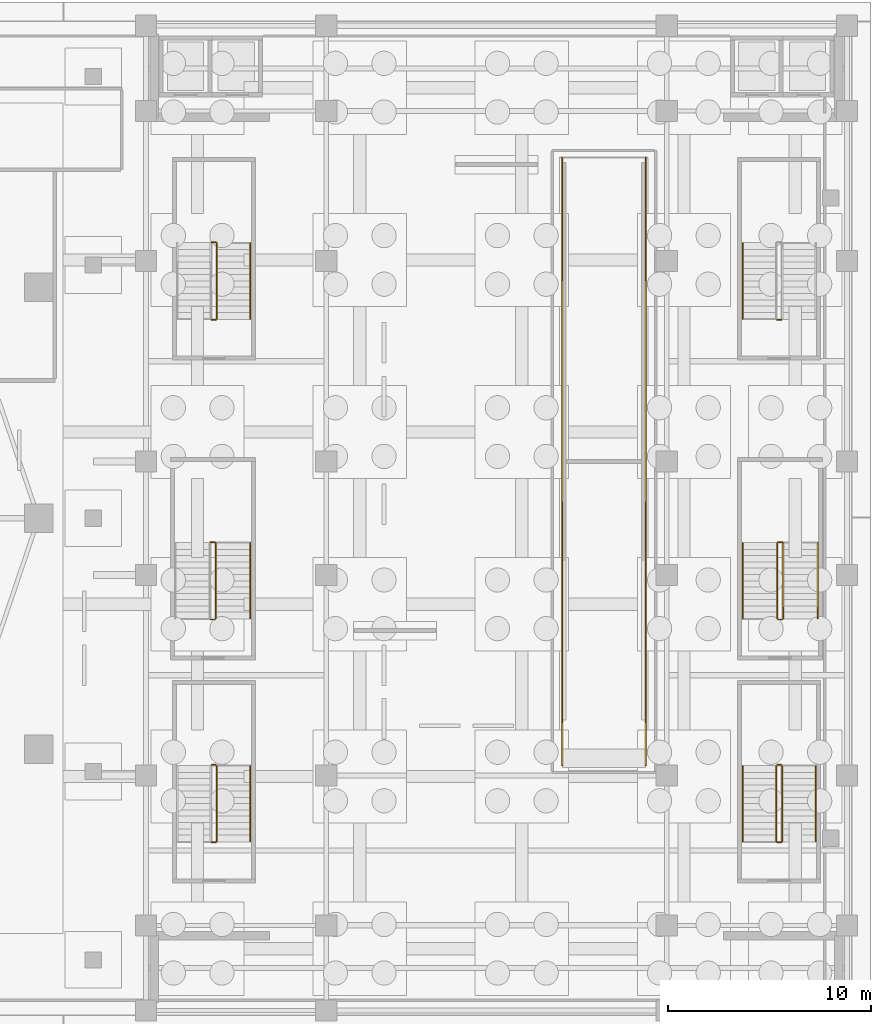
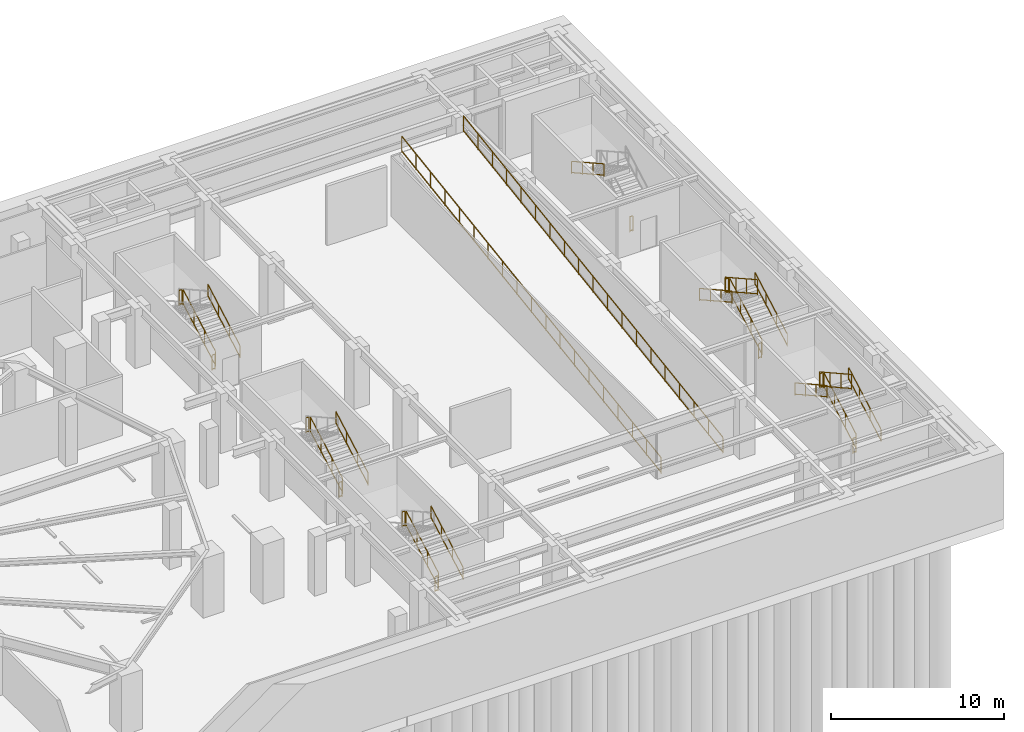
# One storey, part 17 of 19: 28 railings.
"""IFC4 building model written with IfcOpenShell, lengths in metres."""

from ifc_helpers import new_model, si_unit, direction, frame, origin, origin_2d, place, context, subcontext, project, spatial, rectangle, extrude, material, type_object, element, save


model = new_model("IFC4")

# Units and contexts
model_context = context("Model", 3, precision=1e-05, world=origin(), true_north=direction((0.0, 1.0)))
body_context = subcontext(model_context, "Body", "Model", "MODEL_VIEW")
ifc_project = project(units=[si_unit("LENGTHUNIT", "METRE"), si_unit("AREAUNIT", "SQUARE_METRE"), si_unit("VOLUMEUNIT", "CUBIC_METRE"), si_unit("PLANEANGLEUNIT", "RADIAN"), si_unit("MASSUNIT", "GRAM", prefix="KILO")], contexts=[model_context])

# Site, building, storey
site_placement = place(None, origin())
site = spatial("IfcSite", under=ifc_project, at=site_placement, CompositionType="ELEMENT")
building_placement = place(site_placement, origin())
building = spatial("IfcBuilding", under=site, at=building_placement, Name="Kolvaren Gate Tower and Convention Centre", CompositionType="ELEMENT")
storey_placement = place(building_placement, frame((0.0, 0.0, -13.5)))
storey = spatial("IfcBuildingStorey", under=building, at=storey_placement, Name="B3", CompositionType="ELEMENT", Elevation=-13.5)

# Railings
ifc_material = material(Name="Brushed Stainless Steel Grade 316L", Category="steel")
railing_type_1 = type_object("IfcRailingType", Name="ARCH-RL-GUARD-1150", PredefinedType="GUARDRAIL", material=ifc_material)
railing_1_placement = place(storey_placement, frame((66.199951171875, 36.85009765625, 0.173095703125)))
element("IfcRailing", 1, at=railing_1_placement, inside=storey, type_object=railing_type_1, Name="B3 ST-C1 stair guard 1", PredefinedType="GUARDRAIL", context=body_context, shape_type="SweptSolid", body=[
    extrude(rectangle(XDim=0.048095703125, YDim=0.048095703125, at=origin_2d()), frame((0.0, 0.0, 1.076171875), z_axis=(0.0, 0.873133609054, 0.487480974747), x_axis=(-1.0, 0.0, 0.0)), (0.0, 0.0, 1.0), 4.260498046875),
    extrude(rectangle(XDim=0.048095703125, YDim=0.048095703125, at=origin_2d()), frame((0.0, 0.0, 0.083984375), z_axis=(0.0, 0.873133609054, 0.487480974747), x_axis=(-1.0, 0.0, 0.0)), (0.0, 0.0, 1.0), 4.260498046875),
    extrude(rectangle(XDim=0.0419921875, YDim=0.0419921875, at=origin_2d()), origin(), (0.0, 0.0, 1.0), 1.050048828125),
    extrude(rectangle(XDim=0.0419921875, YDim=0.0419921875, at=origin_2d()), frame((0.0, 3.719970703125, 2.076904296875)), (0.0, 0.0, 1.0), 1.050048828125),
    extrude(rectangle(XDim=0.0419921875, YDim=0.0419921875, at=origin_2d()), frame((0.0, 1.239990234375, 0.6923828125)), (0.0, 0.0, 1.0), 1.050048828125),
    extrude(rectangle(XDim=0.0419921875, YDim=0.0419921875, at=origin_2d()), frame((0.0, 2.47998046875, 1.384521484375)), (0.0, 0.0, 1.0), 1.050048828125),
])
for number, where, name in (
    (2, (66.14990234375, 40.6201171875, 2.25), "B3 ST-C1 stair guard 2"),
    (3, (66.14990234375, 36.800048828125, 0.0), "B3 ST-C1 stair guard 4"),
):
    element("IfcRailing", number, at=place(storey_placement, frame(where)), inside=storey, type_object=railing_type_1, Name=name, PredefinedType="GUARDRAIL", context=body_context, shape_type="SweptSolid", body=[
        extrude(rectangle(XDim=0.048095703125, YDim=0.048095703125, at=origin_2d()), frame((0.0, 0.0, 1.076171875), z_axis=(-1.0, 0.0, 0.0), x_axis=(0.0, -1.0, 0.0)), (0.0, 0.0, 1.0), 0.199951171875),
        extrude(rectangle(XDim=0.048095703125, YDim=0.048095703125, at=origin_2d()), frame((0.0, 0.0, 0.083984375), z_axis=(-1.0, 0.0, 0.0), x_axis=(0.0, -1.0, 0.0)), (0.0, 0.0, 1.0), 0.199951171875),
        extrude(rectangle(XDim=0.0419921875, YDim=0.0419921875, at=origin_2d()), origin(), (0.0, 0.0, 1.0), 1.050048828125),
        extrude(rectangle(XDim=0.0419921875, YDim=0.0419921875, at=origin_2d()), frame((-0.199951171875, 0.0, 0.0)), (0.0, 0.0, 1.0), 1.050048828125),
    ])
railing_2_placement = place(storey_placement, frame((66.199951171875, 11.050048828125, 0.173095703125)))
element("IfcRailing", 4, at=railing_2_placement, inside=storey, type_object=railing_type_1, Name="B3 ST-C2 stair guard 1", PredefinedType="GUARDRAIL", context=body_context, shape_type="SweptSolid", body=[
    extrude(rectangle(XDim=0.048095703125, YDim=0.048095703125, at=origin_2d()), frame((0.0, 0.0, 1.076171875), z_axis=(0.0, 0.873133609054, 0.487480974747), x_axis=(-1.0, 0.0, 0.0)), (0.0, 0.0, 1.0), 4.260498046875),
    extrude(rectangle(XDim=0.048095703125, YDim=0.048095703125, at=origin_2d()), frame((0.0, 0.0, 0.083984375), z_axis=(0.0, 0.873133609054, 0.487480974747), x_axis=(-1.0, 0.0, 0.0)), (0.0, 0.0, 1.0), 4.260498046875),
    extrude(rectangle(XDim=0.0419921875, YDim=0.0419921875, at=origin_2d()), origin(), (0.0, 0.0, 1.0), 1.050048828125),
    extrude(rectangle(XDim=0.0419921875, YDim=0.0419921875, at=origin_2d()), frame((0.0, 3.719970703125, 2.076904296875)), (0.0, 0.0, 1.0), 1.050048828125),
    extrude(rectangle(XDim=0.0419921875, YDim=0.0419921875, at=origin_2d()), frame((0.0, 1.239990234375, 0.6923828125)), (0.0, 0.0, 1.0), 1.050048828125),
    extrude(rectangle(XDim=0.0419921875, YDim=0.0419921875, at=origin_2d()), frame((0.0, 2.47998046875, 1.384521484375)), (0.0, 0.0, 1.0), 1.050048828125),
])
for number, where, name in (
    (5, (66.14990234375, 14.820068359375, 2.25), "B3 ST-C2 stair guard 2"),
    (6, (66.14990234375, 11.0, 0.0), "B3 ST-C2 stair guard 4"),
    (7, (94.050048828125, 36.800048828125, 0.0), "B3 ST-C3 stair guard 4"),
):
    element("IfcRailing", number, at=place(storey_placement, frame(where)), inside=storey, type_object=railing_type_1, Name=name, PredefinedType="GUARDRAIL", context=body_context, shape_type="SweptSolid", body=[
        extrude(rectangle(XDim=0.048095703125, YDim=0.048095703125, at=origin_2d()), frame((0.0, 0.0, 1.076171875), z_axis=(-1.0, 0.0, 0.0), x_axis=(0.0, -1.0, 0.0)), (0.0, 0.0, 1.0), 0.199951171875),
        extrude(rectangle(XDim=0.048095703125, YDim=0.048095703125, at=origin_2d()), frame((0.0, 0.0, 0.083984375), z_axis=(-1.0, 0.0, 0.0), x_axis=(0.0, -1.0, 0.0)), (0.0, 0.0, 1.0), 0.199951171875),
        extrude(rectangle(XDim=0.0419921875, YDim=0.0419921875, at=origin_2d()), origin(), (0.0, 0.0, 1.0), 1.050048828125),
        extrude(rectangle(XDim=0.0419921875, YDim=0.0419921875, at=origin_2d()), frame((-0.199951171875, 0.0, 0.0)), (0.0, 0.0, 1.0), 1.050048828125),
    ])
railing_3_placement = place(storey_placement, frame((94.10009765625, 11.050048828125, 0.173095703125)))
element("IfcRailing", 8, at=railing_3_placement, inside=storey, type_object=railing_type_1, Name="B3 ST-C4 stair guard 1", PredefinedType="GUARDRAIL", context=body_context, shape_type="SweptSolid", body=[
    extrude(rectangle(XDim=0.048095703125, YDim=0.048095703125, at=origin_2d()), frame((0.0, 0.0, 1.076171875), z_axis=(0.0, 0.873133609054, 0.487480974747), x_axis=(-1.0, 0.0, 0.0)), (0.0, 0.0, 1.0), 4.260498046875),
    extrude(rectangle(XDim=0.048095703125, YDim=0.048095703125, at=origin_2d()), frame((0.0, 0.0, 0.083984375), z_axis=(0.0, 0.873133609054, 0.487480974747), x_axis=(-1.0, 0.0, 0.0)), (0.0, 0.0, 1.0), 4.260498046875),
    extrude(rectangle(XDim=0.0419921875, YDim=0.0419921875, at=origin_2d()), origin(), (0.0, 0.0, 1.0), 1.050048828125),
    extrude(rectangle(XDim=0.0419921875, YDim=0.0419921875, at=origin_2d()), frame((0.0, 3.719970703125, 2.076904296875)), (0.0, 0.0, 1.0), 1.050048828125),
    extrude(rectangle(XDim=0.0419921875, YDim=0.0419921875, at=origin_2d()), frame((0.0, 1.239990234375, 0.6923828125)), (0.0, 0.0, 1.0), 1.050048828125),
    extrude(rectangle(XDim=0.0419921875, YDim=0.0419921875, at=origin_2d()), frame((0.0, 2.47998046875, 1.384521484375)), (0.0, 0.0, 1.0), 1.050048828125),
])
railing_4_placement = place(storey_placement, frame((94.050048828125, 14.820068359375, 2.25)))
element("IfcRailing", 9, at=railing_4_placement, inside=storey, type_object=railing_type_1, Name="B3 ST-C4 stair guard 2", PredefinedType="GUARDRAIL", context=body_context, shape_type="SweptSolid", body=[
    extrude(rectangle(XDim=0.048095703125, YDim=0.048095703125, at=origin_2d()), frame((0.0, 0.0, 1.076171875), z_axis=(-1.0, 0.0, 0.0), x_axis=(0.0, -1.0, 0.0)), (0.0, 0.0, 1.0), 0.199951171875),
    extrude(rectangle(XDim=0.048095703125, YDim=0.048095703125, at=origin_2d()), frame((0.0, 0.0, 0.083984375), z_axis=(-1.0, 0.0, 0.0), x_axis=(0.0, -1.0, 0.0)), (0.0, 0.0, 1.0), 0.199951171875),
    extrude(rectangle(XDim=0.0419921875, YDim=0.0419921875, at=origin_2d()), origin(), (0.0, 0.0, 1.0), 1.050048828125),
    extrude(rectangle(XDim=0.0419921875, YDim=0.0419921875, at=origin_2d()), frame((-0.199951171875, 0.0, 0.0)), (0.0, 0.0, 1.0), 1.050048828125),
])
railing_5_placement = place(storey_placement, frame((93.800048828125, 14.77001953125, 2.423095703125)))
element("IfcRailing", 10, at=railing_5_placement, inside=storey, type_object=railing_type_1, Name="B3 ST-C4 stair guard 3", PredefinedType="GUARDRAIL", context=body_context, shape_type="SweptSolid", body=[
    extrude(rectangle(XDim=0.048095703125, YDim=0.048095703125, at=origin_2d()), frame((0.0, 0.0, 1.076171875), z_axis=(0.0, -0.873133609054, 0.487480974747), x_axis=(1.0, 0.0, 0.0)), (0.0, 0.0, 1.0), 4.260498046875),
    extrude(rectangle(XDim=0.048095703125, YDim=0.048095703125, at=origin_2d()), frame((0.0, 0.0, 0.083984375), z_axis=(0.0, -0.873133609054, 0.487480974747), x_axis=(1.0, 0.0, 0.0)), (0.0, 0.0, 1.0), 4.260498046875),
    extrude(rectangle(XDim=0.0419921875, YDim=0.0419921875, at=origin_2d()), origin(), (0.0, 0.0, 1.0), 1.050048828125),
    extrude(rectangle(XDim=0.0419921875, YDim=0.0419921875, at=origin_2d()), frame((0.0, -3.719970703125, 2.076904296875)), (0.0, 0.0, 1.0), 1.050048828125),
    extrude(rectangle(XDim=0.0419921875, YDim=0.0419921875, at=origin_2d()), frame((0.0, -1.239990234375, 0.6923828125)), (0.0, 0.0, 1.0), 1.050048828125),
    extrude(rectangle(XDim=0.0419921875, YDim=0.0419921875, at=origin_2d()), frame((0.0, -2.47998046875, 1.384521484375)), (0.0, 0.0, 1.0), 1.050048828125),
])
railing_6_placement = place(storey_placement, frame((94.050048828125, 11.0, 0.0)))
element("IfcRailing", 11, at=railing_6_placement, inside=storey, type_object=railing_type_1, Name="B3 ST-C4 stair guard 4", PredefinedType="GUARDRAIL", context=body_context, shape_type="SweptSolid", body=[
    extrude(rectangle(XDim=0.048095703125, YDim=0.048095703125, at=origin_2d()), frame((0.0, 0.0, 1.076171875), z_axis=(-1.0, 0.0, 0.0), x_axis=(0.0, -1.0, 0.0)), (0.0, 0.0, 1.0), 0.199951171875),
    extrude(rectangle(XDim=0.048095703125, YDim=0.048095703125, at=origin_2d()), frame((0.0, 0.0, 0.083984375), z_axis=(-1.0, 0.0, 0.0), x_axis=(0.0, -1.0, 0.0)), (0.0, 0.0, 1.0), 0.199951171875),
    extrude(rectangle(XDim=0.0419921875, YDim=0.0419921875, at=origin_2d()), origin(), (0.0, 0.0, 1.0), 1.050048828125),
    extrude(rectangle(XDim=0.0419921875, YDim=0.0419921875, at=origin_2d()), frame((-0.199951171875, 0.0, 0.0)), (0.0, 0.0, 1.0), 1.050048828125),
])
railing_7_placement = place(storey_placement, frame((66.14990234375, 22.050048828125, 0.173095703125)))
element("IfcRailing", 12, at=railing_7_placement, inside=storey, type_object=railing_type_1, Name="B3 ST-C5 stair guard 1", PredefinedType="GUARDRAIL", context=body_context, shape_type="SweptSolid", body=[
    extrude(rectangle(XDim=0.048095703125, YDim=0.048095703125, at=origin_2d()), frame((0.0, 0.0, 1.076171875), z_axis=(0.0, 0.873133609054, 0.487480974747), x_axis=(-1.0, 0.0, 0.0)), (0.0, 0.0, 1.0), 4.260498046875),
    extrude(rectangle(XDim=0.048095703125, YDim=0.048095703125, at=origin_2d()), frame((0.0, 0.0, 0.083984375), z_axis=(0.0, 0.873133609054, 0.487480974747), x_axis=(-1.0, 0.0, 0.0)), (0.0, 0.0, 1.0), 4.260498046875),
    extrude(rectangle(XDim=0.0419921875, YDim=0.0419921875, at=origin_2d()), origin(), (0.0, 0.0, 1.0), 1.050048828125),
    extrude(rectangle(XDim=0.0419921875, YDim=0.0419921875, at=origin_2d()), frame((0.0, 3.719970703125, 2.076904296875)), (0.0, 0.0, 1.0), 1.050048828125),
    extrude(rectangle(XDim=0.0419921875, YDim=0.0419921875, at=origin_2d()), frame((0.0, 1.239990234375, 0.6923828125)), (0.0, 0.0, 1.0), 1.050048828125),
    extrude(rectangle(XDim=0.0419921875, YDim=0.0419921875, at=origin_2d()), frame((0.0, 2.47998046875, 1.384521484375)), (0.0, 0.0, 1.0), 1.050048828125),
])
for number, where, name in (
    (13, (66.10009765625, 25.820068359375, 2.25), "B3 ST-C5 stair guard 2"),
    (14, (66.10009765625, 22.0, 0.0), "B3 ST-C5 stair guard 4"),
):
    element("IfcRailing", number, at=place(storey_placement, frame(where)), inside=storey, type_object=railing_type_1, Name=name, PredefinedType="GUARDRAIL", context=body_context, shape_type="SweptSolid", body=[
        extrude(rectangle(XDim=0.048095703125, YDim=0.048095703125, at=origin_2d()), frame((0.0, 0.0, 1.076171875), z_axis=(-1.0, 0.0, 0.0), x_axis=(0.0, -1.0, 0.0)), (0.0, 0.0, 1.0), 0.2001953125),
        extrude(rectangle(XDim=0.048095703125, YDim=0.048095703125, at=origin_2d()), frame((0.0, 0.0, 0.083984375), z_axis=(-1.0, 0.0, 0.0), x_axis=(0.0, -1.0, 0.0)), (0.0, 0.0, 1.0), 0.2001953125),
        extrude(rectangle(XDim=0.0419921875, YDim=0.0419921875, at=origin_2d()), origin(), (0.0, 0.0, 1.0), 1.050048828125),
        extrude(rectangle(XDim=0.0419921875, YDim=0.0419921875, at=origin_2d()), frame((-0.2001953125, 0.0, 0.0)), (0.0, 0.0, 1.0), 1.050048828125),
    ])
railing_8_placement = place(storey_placement, frame((94.14990234375, 22.050048828125, 0.173095703125)))
element("IfcRailing", 15, at=railing_8_placement, inside=storey, type_object=railing_type_1, Name="B3 ST-C6 stair guard 1", PredefinedType="GUARDRAIL", context=body_context, shape_type="SweptSolid", body=[
    extrude(rectangle(XDim=0.048095703125, YDim=0.048095703125, at=origin_2d()), frame((0.0, 0.0, 1.076171875), z_axis=(0.0, 0.873133609054, 0.487480974747), x_axis=(-1.0, 0.0, 0.0)), (0.0, 0.0, 1.0), 4.260498046875),
    extrude(rectangle(XDim=0.048095703125, YDim=0.048095703125, at=origin_2d()), frame((0.0, 0.0, 0.083984375), z_axis=(0.0, 0.873133609054, 0.487480974747), x_axis=(-1.0, 0.0, 0.0)), (0.0, 0.0, 1.0), 4.260498046875),
    extrude(rectangle(XDim=0.0419921875, YDim=0.0419921875, at=origin_2d()), origin(), (0.0, 0.0, 1.0), 1.050048828125),
    extrude(rectangle(XDim=0.0419921875, YDim=0.0419921875, at=origin_2d()), frame((0.0, 3.719970703125, 2.076904296875)), (0.0, 0.0, 1.0), 1.050048828125),
    extrude(rectangle(XDim=0.0419921875, YDim=0.0419921875, at=origin_2d()), frame((0.0, 1.239990234375, 0.6923828125)), (0.0, 0.0, 1.0), 1.050048828125),
    extrude(rectangle(XDim=0.0419921875, YDim=0.0419921875, at=origin_2d()), frame((0.0, 2.47998046875, 1.384521484375)), (0.0, 0.0, 1.0), 1.050048828125),
])
railing_9_placement = place(storey_placement, frame((94.10009765625, 25.820068359375, 2.25)))
element("IfcRailing", 16, at=railing_9_placement, inside=storey, type_object=railing_type_1, Name="B3 ST-C6 stair guard 2", PredefinedType="GUARDRAIL", context=body_context, shape_type="SweptSolid", body=[
    extrude(rectangle(XDim=0.048095703125, YDim=0.048095703125, at=origin_2d()), frame((0.0, 0.0, 1.076171875), z_axis=(-1.0, 0.0, 0.0), x_axis=(0.0, -1.0, 0.0)), (0.0, 0.0, 1.0), 0.2001953125),
    extrude(rectangle(XDim=0.048095703125, YDim=0.048095703125, at=origin_2d()), frame((0.0, 0.0, 0.083984375), z_axis=(-1.0, 0.0, 0.0), x_axis=(0.0, -1.0, 0.0)), (0.0, 0.0, 1.0), 0.2001953125),
    extrude(rectangle(XDim=0.0419921875, YDim=0.0419921875, at=origin_2d()), origin(), (0.0, 0.0, 1.0), 1.050048828125),
    extrude(rectangle(XDim=0.0419921875, YDim=0.0419921875, at=origin_2d()), frame((-0.2001953125, 0.0, 0.0)), (0.0, 0.0, 1.0), 1.050048828125),
])
railing_10_placement = place(storey_placement, frame((93.85009765625, 25.77001953125, 2.423095703125)))
element("IfcRailing", 17, at=railing_10_placement, inside=storey, type_object=railing_type_1, Name="B3 ST-C6 stair guard 3", PredefinedType="GUARDRAIL", context=body_context, shape_type="SweptSolid", body=[
    extrude(rectangle(XDim=0.048095703125, YDim=0.048095703125, at=origin_2d()), frame((0.0, 0.0, 1.076171875), z_axis=(0.0, -0.873133609054, 0.487480974747), x_axis=(1.0, 0.0, 0.0)), (0.0, 0.0, 1.0), 4.260498046875),
    extrude(rectangle(XDim=0.048095703125, YDim=0.048095703125, at=origin_2d()), frame((0.0, 0.0, 0.083984375), z_axis=(0.0, -0.873133609054, 0.487480974747), x_axis=(1.0, 0.0, 0.0)), (0.0, 0.0, 1.0), 4.260498046875),
    extrude(rectangle(XDim=0.0419921875, YDim=0.0419921875, at=origin_2d()), origin(), (0.0, 0.0, 1.0), 1.050048828125),
    extrude(rectangle(XDim=0.0419921875, YDim=0.0419921875, at=origin_2d()), frame((0.0, -3.719970703125, 2.076904296875)), (0.0, 0.0, 1.0), 1.050048828125),
    extrude(rectangle(XDim=0.0419921875, YDim=0.0419921875, at=origin_2d()), frame((0.0, -1.239990234375, 0.6923828125)), (0.0, 0.0, 1.0), 1.050048828125),
    extrude(rectangle(XDim=0.0419921875, YDim=0.0419921875, at=origin_2d()), frame((0.0, -2.47998046875, 1.384521484375)), (0.0, 0.0, 1.0), 1.050048828125),
])
railing_11_placement = place(storey_placement, frame((94.10009765625, 22.0, 0.0)))
element("IfcRailing", 18, at=railing_11_placement, inside=storey, type_object=railing_type_1, Name="B3 ST-C6 stair guard 4", PredefinedType="GUARDRAIL", context=body_context, shape_type="SweptSolid", body=[
    extrude(rectangle(XDim=0.048095703125, YDim=0.048095703125, at=origin_2d()), frame((0.0, 0.0, 1.076171875), z_axis=(-1.0, 0.0, 0.0), x_axis=(0.0, -1.0, 0.0)), (0.0, 0.0, 1.0), 0.2001953125),
    extrude(rectangle(XDim=0.048095703125, YDim=0.048095703125, at=origin_2d()), frame((0.0, 0.0, 0.083984375), z_axis=(-1.0, 0.0, 0.0), x_axis=(0.0, -1.0, 0.0)), (0.0, 0.0, 1.0), 0.2001953125),
    extrude(rectangle(XDim=0.0419921875, YDim=0.0419921875, at=origin_2d()), origin(), (0.0, 0.0, 1.0), 1.050048828125),
    extrude(rectangle(XDim=0.0419921875, YDim=0.0419921875, at=origin_2d()), frame((-0.2001953125, 0.0, 0.0)), (0.0, 0.0, 1.0), 1.050048828125),
])
railing_12_placement = place(storey_placement, frame((83.239990234375, 14.800048828125, 0.0)))
element("IfcRailing", 19, at=railing_12_placement, inside=storey, type_object=railing_type_1, Name="Basement B3 to B2 Car Park Vehicle Ramp Slab R3 Pitched Perimeter Guardrail 1", PredefinedType="GUARDRAIL", context=body_context, shape_type="SweptSolid", body=[
    extrude(rectangle(XDim=0.048095703125, YDim=0.048095703125, at=origin_2d()), frame((0.0, 0.0, 1.1259765625), z_axis=(0.0, 0.988936352868, 0.14834045293), x_axis=(-1.0, 0.0, 0.0)), (0.0, 0.0, 1.0), 30.335693359375),
    extrude(rectangle(XDim=0.048095703125, YDim=0.048095703125, at=origin_2d()), frame((0.0, 0.0, 0.083984375), z_axis=(0.0, 0.988936352868, 0.14834045293), x_axis=(-1.0, 0.0, 0.0)), (0.0, 0.0, 1.0), 30.335693359375),
    extrude(rectangle(XDim=0.0419921875, YDim=0.0419921875, at=origin_2d()), origin(), (0.0, 0.0, 1.0), 1.099853515625),
    extrude(rectangle(XDim=0.0419921875, YDim=0.0419921875, at=origin_2d()), frame((0.0, 30.0, 4.5)), (0.0, 0.0, 1.0), 1.099853515625),
    extrude(rectangle(XDim=0.0419921875, YDim=0.0419921875, at=origin_2d()), frame((0.0, 1.666748046875, 0.25)), (0.0, 0.0, 1.0), 1.099853515625),
    extrude(rectangle(XDim=0.0419921875, YDim=0.0419921875, at=origin_2d()), frame((0.0, 3.333251953125, 0.5)), (0.0, 0.0, 1.0), 1.099853515625),
    extrude(rectangle(XDim=0.0419921875, YDim=0.0419921875, at=origin_2d()), frame((0.0, 5.0, 0.75)), (0.0, 0.0, 1.0), 1.099853515625),
    extrude(rectangle(XDim=0.0419921875, YDim=0.0419921875, at=origin_2d()), frame((0.0, 6.666748046875, 1.0)), (0.0, 0.0, 1.0), 1.099853515625),
    extrude(rectangle(XDim=0.0419921875, YDim=0.0419921875, at=origin_2d()), frame((0.0, 8.333251953125, 1.25)), (0.0, 0.0, 1.0), 1.099853515625),
    extrude(rectangle(XDim=0.0419921875, YDim=0.0419921875, at=origin_2d()), frame((0.0, 10.0, 1.5)), (0.0, 0.0, 1.0), 1.099853515625),
    extrude(rectangle(XDim=0.0419921875, YDim=0.0419921875, at=origin_2d()), frame((0.0, 11.666748046875, 1.75)), (0.0, 0.0, 1.0), 1.099853515625),
    extrude(rectangle(XDim=0.0419921875, YDim=0.0419921875, at=origin_2d()), frame((0.0, 13.333251953125, 2.0)), (0.0, 0.0, 1.0), 1.099853515625),
    extrude(rectangle(XDim=0.0419921875, YDim=0.0419921875, at=origin_2d()), frame((0.0, 15.0, 2.25)), (0.0, 0.0, 1.0), 1.099853515625),
    extrude(rectangle(XDim=0.0419921875, YDim=0.0419921875, at=origin_2d()), frame((0.0, 16.666748046875, 2.5)), (0.0, 0.0, 1.0), 1.099853515625),
    extrude(rectangle(XDim=0.0419921875, YDim=0.0419921875, at=origin_2d()), frame((0.0, 18.333251953125, 2.75)), (0.0, 0.0, 1.0), 1.099853515625),
    extrude(rectangle(XDim=0.0419921875, YDim=0.0419921875, at=origin_2d()), frame((0.0, 20.0, 3.0)), (0.0, 0.0, 1.0), 1.099853515625),
    extrude(rectangle(XDim=0.0419921875, YDim=0.0419921875, at=origin_2d()), frame((0.0, 21.666748046875, 3.25)), (0.0, 0.0, 1.0), 1.099853515625),
    extrude(rectangle(XDim=0.0419921875, YDim=0.0419921875, at=origin_2d()), frame((0.0, 23.333251953125, 3.5)), (0.0, 0.0, 1.0), 1.099853515625),
    extrude(rectangle(XDim=0.0419921875, YDim=0.0419921875, at=origin_2d()), frame((0.0, 25.0, 3.75)), (0.0, 0.0, 1.0), 1.099853515625),
    extrude(rectangle(XDim=0.0419921875, YDim=0.0419921875, at=origin_2d()), frame((0.0, 26.666748046875, 4.0)), (0.0, 0.0, 1.0), 1.099853515625),
    extrude(rectangle(XDim=0.0419921875, YDim=0.0419921875, at=origin_2d()), frame((0.0, 28.333251953125, 4.25)), (0.0, 0.0, 1.0), 1.099853515625),
])
railing_13_placement = place(storey_placement, frame((87.360107421875, 14.800048828125, 0.0)))
element("IfcRailing", 20, at=railing_13_placement, inside=storey, type_object=railing_type_1, Name="Basement B3 to B2 Car Park Vehicle Ramp Slab R3 Pitched Perimeter Guardrail 2", PredefinedType="GUARDRAIL", context=body_context, shape_type="SweptSolid", body=[
    extrude(rectangle(XDim=0.048095703125, YDim=0.048095703125, at=origin_2d()), frame((0.0, 0.0, 1.1259765625), z_axis=(0.0, 0.988936352868, 0.14834045293), x_axis=(-1.0, 0.0, 0.0)), (0.0, 0.0, 1.0), 30.335693359375),
    extrude(rectangle(XDim=0.048095703125, YDim=0.048095703125, at=origin_2d()), frame((0.0, 0.0, 0.083984375), z_axis=(0.0, 0.988936352868, 0.14834045293), x_axis=(-1.0, 0.0, 0.0)), (0.0, 0.0, 1.0), 30.335693359375),
    extrude(rectangle(XDim=0.0419921875, YDim=0.0419921875, at=origin_2d()), origin(), (0.0, 0.0, 1.0), 1.099853515625),
    extrude(rectangle(XDim=0.0419921875, YDim=0.0419921875, at=origin_2d()), frame((0.0, 30.0, 4.5)), (0.0, 0.0, 1.0), 1.099853515625),
    extrude(rectangle(XDim=0.0419921875, YDim=0.0419921875, at=origin_2d()), frame((0.0, 1.666748046875, 0.25)), (0.0, 0.0, 1.0), 1.099853515625),
    extrude(rectangle(XDim=0.0419921875, YDim=0.0419921875, at=origin_2d()), frame((0.0, 3.333251953125, 0.5)), (0.0, 0.0, 1.0), 1.099853515625),
    extrude(rectangle(XDim=0.0419921875, YDim=0.0419921875, at=origin_2d()), frame((0.0, 5.0, 0.75)), (0.0, 0.0, 1.0), 1.099853515625),
    extrude(rectangle(XDim=0.0419921875, YDim=0.0419921875, at=origin_2d()), frame((0.0, 6.666748046875, 1.0)), (0.0, 0.0, 1.0), 1.099853515625),
    extrude(rectangle(XDim=0.0419921875, YDim=0.0419921875, at=origin_2d()), frame((0.0, 8.333251953125, 1.25)), (0.0, 0.0, 1.0), 1.099853515625),
    extrude(rectangle(XDim=0.0419921875, YDim=0.0419921875, at=origin_2d()), frame((0.0, 10.0, 1.5)), (0.0, 0.0, 1.0), 1.099853515625),
    extrude(rectangle(XDim=0.0419921875, YDim=0.0419921875, at=origin_2d()), frame((0.0, 11.666748046875, 1.75)), (0.0, 0.0, 1.0), 1.099853515625),
    extrude(rectangle(XDim=0.0419921875, YDim=0.0419921875, at=origin_2d()), frame((0.0, 13.333251953125, 2.0)), (0.0, 0.0, 1.0), 1.099853515625),
    extrude(rectangle(XDim=0.0419921875, YDim=0.0419921875, at=origin_2d()), frame((0.0, 15.0, 2.25)), (0.0, 0.0, 1.0), 1.099853515625),
    extrude(rectangle(XDim=0.0419921875, YDim=0.0419921875, at=origin_2d()), frame((0.0, 16.666748046875, 2.5)), (0.0, 0.0, 1.0), 1.099853515625),
    extrude(rectangle(XDim=0.0419921875, YDim=0.0419921875, at=origin_2d()), frame((0.0, 18.333251953125, 2.75)), (0.0, 0.0, 1.0), 1.099853515625),
    extrude(rectangle(XDim=0.0419921875, YDim=0.0419921875, at=origin_2d()), frame((0.0, 20.0, 3.0)), (0.0, 0.0, 1.0), 1.099853515625),
    extrude(rectangle(XDim=0.0419921875, YDim=0.0419921875, at=origin_2d()), frame((0.0, 21.666748046875, 3.25)), (0.0, 0.0, 1.0), 1.099853515625),
    extrude(rectangle(XDim=0.0419921875, YDim=0.0419921875, at=origin_2d()), frame((0.0, 23.333251953125, 3.5)), (0.0, 0.0, 1.0), 1.099853515625),
    extrude(rectangle(XDim=0.0419921875, YDim=0.0419921875, at=origin_2d()), frame((0.0, 25.0, 3.75)), (0.0, 0.0, 1.0), 1.099853515625),
    extrude(rectangle(XDim=0.0419921875, YDim=0.0419921875, at=origin_2d()), frame((0.0, 26.666748046875, 4.0)), (0.0, 0.0, 1.0), 1.099853515625),
    extrude(rectangle(XDim=0.0419921875, YDim=0.0419921875, at=origin_2d()), frame((0.0, 28.333251953125, 4.25)), (0.0, 0.0, 1.0), 1.099853515625),
])
railing_type_2 = type_object("IfcRailingType", Name="ARCH-RL-HANDRAIL-920", PredefinedType="HANDRAIL", material=ifc_material)
for number, where, name in (
    (21, (67.85009765625, 36.85009765625, 0.173095703125), "B3 ST-C1 stair handrail 1"),
    (22, (67.85009765625, 11.050048828125, 0.173095703125), "B3 ST-C2 stair handrail 1"),
):
    element("IfcRailing", number, at=place(storey_placement, frame(where)), inside=storey, type_object=railing_type_2, Name=name, PredefinedType="HANDRAIL", context=body_context, shape_type="SweptSolid", body=[
        extrude(rectangle(XDim=0.048095703125, YDim=0.048095703125, at=origin_2d()), frame((0.0, 0.0, 0.8759765625), z_axis=(0.0, 0.873133609054, 0.487480974747), x_axis=(-1.0, 0.0, 0.0)), (0.0, 0.0, 1.0), 4.260498046875),
        extrude(rectangle(XDim=0.048095703125, YDim=0.048095703125, at=origin_2d()), frame((0.0, 0.0, 0.083984375), z_axis=(0.0, 0.873133609054, 0.487480974747), x_axis=(-1.0, 0.0, 0.0)), (0.0, 0.0, 1.0), 4.260498046875),
        extrude(rectangle(XDim=0.0419921875, YDim=0.0419921875, at=origin_2d()), origin(), (0.0, 0.0, 1.0), 0.849853515625),
        extrude(rectangle(XDim=0.0419921875, YDim=0.0419921875, at=origin_2d()), frame((0.0, 3.719970703125, 2.076904296875)), (0.0, 0.0, 1.0), 0.849853515625),
        extrude(rectangle(XDim=0.0419921875, YDim=0.0419921875, at=origin_2d()), frame((0.0, 1.239990234375, 0.6923828125)), (0.0, 0.0, 1.0), 0.849853515625),
        extrude(rectangle(XDim=0.0419921875, YDim=0.0419921875, at=origin_2d()), frame((0.0, 2.47998046875, 1.384521484375)), (0.0, 0.0, 1.0), 0.849853515625),
    ])
railing_14_placement = place(storey_placement, frame((92.14990234375, 40.570068359375, 2.423095703125)))
element("IfcRailing", 23, at=railing_14_placement, inside=storey, type_object=railing_type_2, Name="B3 ST-C3 stair handrail 2", PredefinedType="HANDRAIL", context=body_context, shape_type="SweptSolid", body=[
    extrude(rectangle(XDim=0.048095703125, YDim=0.048095703125, at=origin_2d()), frame((0.0, 0.0, 0.8759765625), z_axis=(0.0, -0.873133609054, 0.487480974747), x_axis=(1.0, 0.0, 0.0)), (0.0, 0.0, 1.0), 4.260498046875),
    extrude(rectangle(XDim=0.048095703125, YDim=0.048095703125, at=origin_2d()), frame((0.0, 0.0, 0.083984375), z_axis=(0.0, -0.873133609054, 0.487480974747), x_axis=(1.0, 0.0, 0.0)), (0.0, 0.0, 1.0), 4.260498046875),
    extrude(rectangle(XDim=0.0419921875, YDim=0.0419921875, at=origin_2d()), origin(), (0.0, 0.0, 1.0), 0.849853515625),
    extrude(rectangle(XDim=0.0419921875, YDim=0.0419921875, at=origin_2d()), frame((0.0, -3.719970703125, 2.076904296875)), (0.0, 0.0, 1.0), 0.849853515625),
    extrude(rectangle(XDim=0.0419921875, YDim=0.0419921875, at=origin_2d()), frame((0.0, -1.239990234375, 0.6923828125)), (0.0, 0.0, 1.0), 0.849853515625),
    extrude(rectangle(XDim=0.0419921875, YDim=0.0419921875, at=origin_2d()), frame((0.0, -2.47998046875, 1.384521484375)), (0.0, 0.0, 1.0), 0.849853515625),
])
railing_15_placement = place(storey_placement, frame((95.75, 11.050048828125, 0.173095703125)))
element("IfcRailing", 24, at=railing_15_placement, inside=storey, type_object=railing_type_2, Name="B3 ST-C4 stair handrail 1", PredefinedType="HANDRAIL", context=body_context, shape_type="SweptSolid", body=[
    extrude(rectangle(XDim=0.048095703125, YDim=0.048095703125, at=origin_2d()), frame((0.0, 0.0, 0.8759765625), z_axis=(0.0, 0.873133609054, 0.487480974747), x_axis=(-1.0, 0.0, 0.0)), (0.0, 0.0, 1.0), 4.260498046875),
    extrude(rectangle(XDim=0.048095703125, YDim=0.048095703125, at=origin_2d()), frame((0.0, 0.0, 0.083984375), z_axis=(0.0, 0.873133609054, 0.487480974747), x_axis=(-1.0, 0.0, 0.0)), (0.0, 0.0, 1.0), 4.260498046875),
    extrude(rectangle(XDim=0.0419921875, YDim=0.0419921875, at=origin_2d()), origin(), (0.0, 0.0, 1.0), 0.849853515625),
    extrude(rectangle(XDim=0.0419921875, YDim=0.0419921875, at=origin_2d()), frame((0.0, 3.719970703125, 2.076904296875)), (0.0, 0.0, 1.0), 0.849853515625),
    extrude(rectangle(XDim=0.0419921875, YDim=0.0419921875, at=origin_2d()), frame((0.0, 1.239990234375, 0.6923828125)), (0.0, 0.0, 1.0), 0.849853515625),
    extrude(rectangle(XDim=0.0419921875, YDim=0.0419921875, at=origin_2d()), frame((0.0, 2.47998046875, 1.384521484375)), (0.0, 0.0, 1.0), 0.849853515625),
])
railing_16_placement = place(storey_placement, frame((92.14990234375, 14.77001953125, 2.423095703125)))
element("IfcRailing", 25, at=railing_16_placement, inside=storey, type_object=railing_type_2, Name="B3 ST-C4 stair handrail 2", PredefinedType="HANDRAIL", context=body_context, shape_type="SweptSolid", body=[
    extrude(rectangle(XDim=0.048095703125, YDim=0.048095703125, at=origin_2d()), frame((0.0, 0.0, 0.8759765625), z_axis=(0.0, -0.873133609054, 0.487480974747), x_axis=(1.0, 0.0, 0.0)), (0.0, 0.0, 1.0), 4.260498046875),
    extrude(rectangle(XDim=0.048095703125, YDim=0.048095703125, at=origin_2d()), frame((0.0, 0.0, 0.083984375), z_axis=(0.0, -0.873133609054, 0.487480974747), x_axis=(1.0, 0.0, 0.0)), (0.0, 0.0, 1.0), 4.260498046875),
    extrude(rectangle(XDim=0.0419921875, YDim=0.0419921875, at=origin_2d()), origin(), (0.0, 0.0, 1.0), 0.849853515625),
    extrude(rectangle(XDim=0.0419921875, YDim=0.0419921875, at=origin_2d()), frame((0.0, -3.719970703125, 2.076904296875)), (0.0, 0.0, 1.0), 0.849853515625),
    extrude(rectangle(XDim=0.0419921875, YDim=0.0419921875, at=origin_2d()), frame((0.0, -1.239990234375, 0.6923828125)), (0.0, 0.0, 1.0), 0.849853515625),
    extrude(rectangle(XDim=0.0419921875, YDim=0.0419921875, at=origin_2d()), frame((0.0, -2.47998046875, 1.384521484375)), (0.0, 0.0, 1.0), 0.849853515625),
])
for number, where, name in (
    (26, (67.85009765625, 22.050048828125, 0.173095703125), "B3 ST-C5 stair handrail 1"),
    (27, (95.85009765625, 22.050048828125, 0.173095703125), "B3 ST-C6 stair handrail 1"),
):
    element("IfcRailing", number, at=place(storey_placement, frame(where)), inside=storey, type_object=railing_type_2, Name=name, PredefinedType="HANDRAIL", context=body_context, shape_type="SweptSolid", body=[
        extrude(rectangle(XDim=0.048095703125, YDim=0.048095703125, at=origin_2d()), frame((0.0, 0.0, 0.8759765625), z_axis=(0.0, 0.873133609054, 0.487480974747), x_axis=(-1.0, 0.0, 0.0)), (0.0, 0.0, 1.0), 4.260498046875),
        extrude(rectangle(XDim=0.048095703125, YDim=0.048095703125, at=origin_2d()), frame((0.0, 0.0, 0.083984375), z_axis=(0.0, 0.873133609054, 0.487480974747), x_axis=(-1.0, 0.0, 0.0)), (0.0, 0.0, 1.0), 4.260498046875),
        extrude(rectangle(XDim=0.0419921875, YDim=0.0419921875, at=origin_2d()), origin(), (0.0, 0.0, 1.0), 0.849853515625),
        extrude(rectangle(XDim=0.0419921875, YDim=0.0419921875, at=origin_2d()), frame((0.0, 3.719970703125, 2.076904296875)), (0.0, 0.0, 1.0), 0.849853515625),
        extrude(rectangle(XDim=0.0419921875, YDim=0.0419921875, at=origin_2d()), frame((0.0, 1.239990234375, 0.6923828125)), (0.0, 0.0, 1.0), 0.849853515625),
        extrude(rectangle(XDim=0.0419921875, YDim=0.0419921875, at=origin_2d()), frame((0.0, 2.47998046875, 1.384521484375)), (0.0, 0.0, 1.0), 0.849853515625),
    ])
railing_17_placement = place(storey_placement, frame((92.14990234375, 25.77001953125, 2.423095703125)))
element("IfcRailing", 28, at=railing_17_placement, inside=storey, type_object=railing_type_2, Name="B3 ST-C6 stair handrail 2", PredefinedType="HANDRAIL", context=body_context, shape_type="SweptSolid", body=[
    extrude(rectangle(XDim=0.048095703125, YDim=0.048095703125, at=origin_2d()), frame((0.0, 0.0, 0.8759765625), z_axis=(0.0, -0.873133609054, 0.487480974747), x_axis=(1.0, 0.0, 0.0)), (0.0, 0.0, 1.0), 4.260498046875),
    extrude(rectangle(XDim=0.048095703125, YDim=0.048095703125, at=origin_2d()), frame((0.0, 0.0, 0.083984375), z_axis=(0.0, -0.873133609054, 0.487480974747), x_axis=(1.0, 0.0, 0.0)), (0.0, 0.0, 1.0), 4.260498046875),
    extrude(rectangle(XDim=0.0419921875, YDim=0.0419921875, at=origin_2d()), origin(), (0.0, 0.0, 1.0), 0.849853515625),
    extrude(rectangle(XDim=0.0419921875, YDim=0.0419921875, at=origin_2d()), frame((0.0, -3.719970703125, 2.076904296875)), (0.0, 0.0, 1.0), 0.849853515625),
    extrude(rectangle(XDim=0.0419921875, YDim=0.0419921875, at=origin_2d()), frame((0.0, -1.239990234375, 0.6923828125)), (0.0, 0.0, 1.0), 0.849853515625),
    extrude(rectangle(XDim=0.0419921875, YDim=0.0419921875, at=origin_2d()), frame((0.0, -2.47998046875, 1.384521484375)), (0.0, 0.0, 1.0), 0.849853515625),
])

save(model, "model.ifc")
